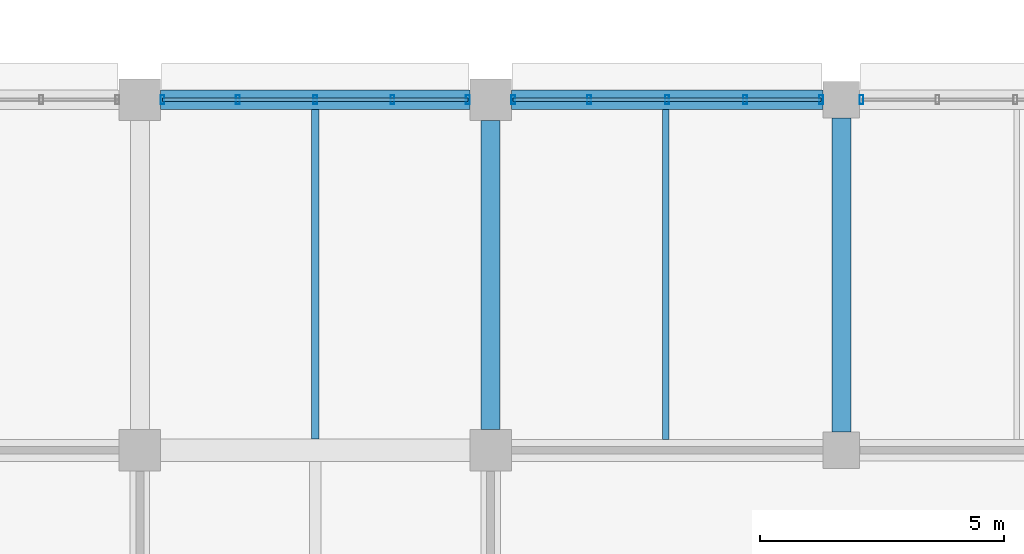
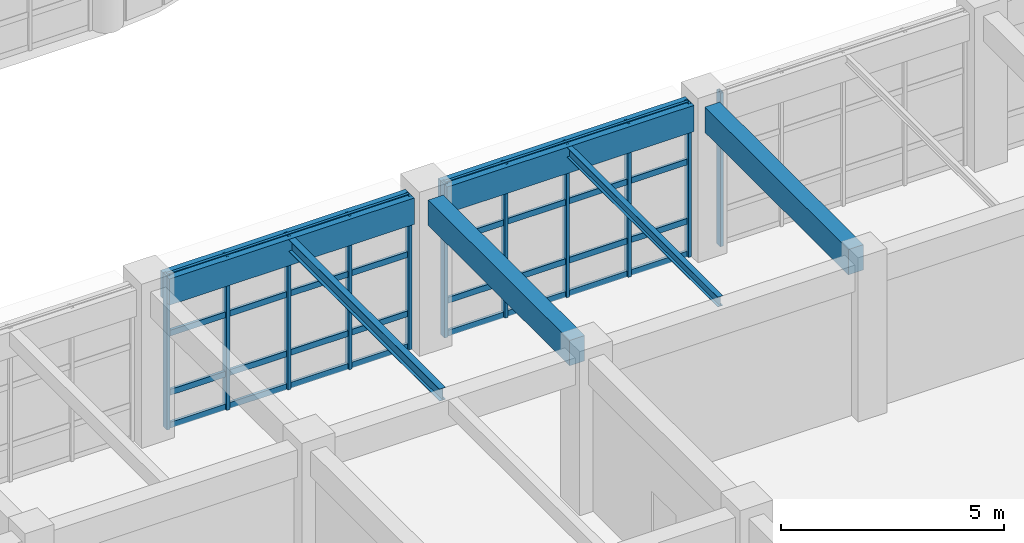
# One storey, part 36 of 171: 19 members, 6 beams, 3 elements without a shape of their own.
"""IFC4 building model written with IfcOpenShell, lengths in metres."""

from ifc_helpers import new_model, si_unit, direction, frame, origin, origin_2d, place, context, subcontext, project, spatial, rectangle, hollow_rectangle, i_section, extrude, material, material_profile, profile_set, type_object, element, aggregate, save


model = new_model("IFC4")

# Units and contexts
model_context = context("Model", 3, precision=1e-05, world=origin(), true_north=direction((0.0, 1.0)))
body_context = subcontext(model_context, "Body", "Model", "MODEL_VIEW")
ifc_project = project(units=[si_unit("LENGTHUNIT", "METRE"), si_unit("AREAUNIT", "SQUARE_METRE"), si_unit("VOLUMEUNIT", "CUBIC_METRE"), si_unit("PLANEANGLEUNIT", "RADIAN"), si_unit("MASSUNIT", "GRAM", prefix="KILO")], contexts=[model_context])

# Site, building, storey
site_placement = place(None, origin())
site = spatial("IfcSite", under=ifc_project, at=site_placement, CompositionType="ELEMENT")
building_placement = place(site_placement, origin())
building = spatial("IfcBuilding", under=site, at=building_placement, Name="Thalmaran Polytechnic", CompositionType="ELEMENT")
storey_placement = place(building_placement, frame((0.0, 0.0, 5.39990234375)))
storey = spatial("IfcBuildingStorey", under=building, at=storey_placement, Name="L01", CompositionType="ELEMENT", Elevation=5.39990234375)

# Beams
ifc_material_1 = material(Name="Concrete C40/50", Category="concrete")
ifc_material_profile_1 = material_profile(ifc_material_1, rectangle(XDim=0.389892578125, YDim=0.695068359375, at=origin_2d()), Name="RC 390x695")
ifc_profile_set_1 = profile_set([ifc_material_profile_1], Name="Concrete C40/50")
beam_type_1 = type_object("IfcBeamType", Name="BM-RC10", PredefinedType="BEAM", material=ifc_profile_set_1)
beam_1_placement = place(storey_placement, frame((86.39990234375, 29.22509765625, 3.862548828125), z_axis=(0.0, 1.0, 0.0), x_axis=(-1.0, 0.0, 0.0)))
element("IfcBeam", 1, at=beam_1_placement, inside=storey, type_object=beam_type_1, Name="Grid Beam B10 L01 Y(12,4)", PredefinedType="BEAM", context=body_context, shape_type="SweptSolid", body=[
    extrude(rectangle(XDim=0.389892578125, YDim=0.695068359375, at=origin_2d()), origin(), (0.0, 0.0, 1.0), 6.349853515625),
])
beam_2_placement = place(storey_placement, frame((93.60009765625, 29.175048828125, 3.862548828125), z_axis=(0.0, 1.0, 0.0), x_axis=(-1.0, 0.0, 0.0)))
element("IfcBeam", 2, at=beam_2_placement, inside=storey, type_object=beam_type_1, Name="Grid Beam B10 L01 Y(13,4)", PredefinedType="BEAM", context=body_context, shape_type="SweptSolid", body=[
    extrude(rectangle(XDim=0.389892578125, YDim=0.695068359375, at=origin_2d()), origin(), (0.0, 0.0, 1.0), 6.449951171875),
])
ifc_material_2 = material(Name="Steel S355", Category="steel")
ifc_material_profile_2 = material_profile(ifc_material_2, i_section(OverallWidth=0.159912109375, OverallDepth=0.330078125, WebThickness=0.007568359375, FlangeThickness=0.011474609375, at=origin_2d()), Name="IPE 330")
ifc_profile_set_2 = profile_set([ifc_material_profile_2], Name="Steel S355")
beam_type_2 = type_object("IfcBeamType", Name="BM-SJ02", PredefinedType="JOIST", material=ifc_profile_set_2)
beam_3_placement = place(storey_placement, frame((82.800048828125, 29.030029296875, 4.045166015625), z_axis=(0.0, 1.0, 0.0), x_axis=(-1.0, 0.0, 0.0)))
element("IfcBeam", 3, at=beam_3_placement, inside=storey, type_object=beam_type_2, Name="Secondary Floor Rib SJ02 L01 (11,4)", PredefinedType="JOIST", context=body_context, shape_type="SweptSolid", body=[
    extrude(i_section(OverallWidth=0.159912109375, OverallDepth=0.330078125, WebThickness=0.007568359375, FlangeThickness=0.011474609375, at=origin_2d()), origin(), (0.0, 0.0, 1.0), 6.77001953125),
])
ifc_material_profile_3 = material_profile(ifc_material_2, i_section(OverallWidth=0.135009765625, OverallDepth=0.27001953125, WebThickness=0.006591796875, FlangeThickness=0.01025390625, at=origin_2d()), Name="IPE 270")
ifc_profile_set_3 = profile_set([ifc_material_profile_3], Name="Steel S355")
beam_type_3 = type_object("IfcBeamType", Name="BM-SJ03", PredefinedType="JOIST", material=ifc_profile_set_3)
beam_4_placement = place(storey_placement, frame((90.0, 29.02490234375, 4.0751953125), z_axis=(0.0, 1.0, 0.0), x_axis=(-1.0, 0.0, 0.0)))
element("IfcBeam", 4, at=beam_4_placement, inside=storey, type_object=beam_type_3, Name="Secondary Floor Rib SJ03 L01 (12,4)", PredefinedType="JOIST", context=body_context, shape_type="SweptSolid", body=[
    extrude(i_section(OverallWidth=0.135009765625, OverallDepth=0.27001953125, WebThickness=0.006591796875, FlangeThickness=0.01025390625, at=origin_2d()), origin(), (0.0, 0.0, 1.0), 6.775146484375),
])
ifc_material_profile_4 = material_profile(ifc_material_1, rectangle(XDim=0.39990234375, YDim=0.719970703125, at=origin_2d()), Name="RC 400x720")
ifc_profile_set_4 = profile_set([ifc_material_profile_4], Name="Concrete C40/50")
beam_type_4 = type_object("IfcBeamType", Name="BM-SP01", PredefinedType="SPANDREL", material=ifc_profile_set_4)
beam_5_placement = place(storey_placement, frame((79.625, 36.0, 3.85009765625), z_axis=(1.0, 0.0, 0.0), x_axis=(0.0, 1.0, 0.0)))
element("IfcBeam", 5, at=beam_5_placement, inside=storey, type_object=beam_type_4, Name="Grid Beam SP01 L01 X(11,5)", PredefinedType="SPANDREL", context=body_context, shape_type="SweptSolid", body=[
    extrude(rectangle(XDim=0.39990234375, YDim=0.719970703125, at=origin_2d()), origin(), (0.0, 0.0, 1.0), 6.35009765625),
])
beam_6_placement = place(storey_placement, frame((86.824951171875, 36.0, 3.85009765625), z_axis=(1.0, 0.0, 0.0), x_axis=(0.0, 1.0, 0.0)))
element("IfcBeam", 6, at=beam_6_placement, inside=storey, type_object=beam_type_4, Name="Grid Beam SP01 L01 X(12,5)", PredefinedType="SPANDREL", context=body_context, shape_type="SweptSolid", body=[
    extrude(rectangle(XDim=0.39990234375, YDim=0.719970703125, at=origin_2d()), origin(), (0.0, 0.0, 1.0), 6.400146484375),
])

# Curtain wall, members
ifc_material_3 = material(Name="Aluminium 6063-T6", Category="aluminium")
curtain_wall_type = type_object("IfcCurtainWallType", Name="CW-UC02", PredefinedType="USERDEFINED", material=ifc_material_3)
curtain_wall_1_placement = place(storey_placement, origin())
curtain_wall_1 = element("IfcCurtainWall", 7, at=curtain_wall_1_placement, inside=storey, type_object=curtain_wall_type, Name="Curtain Wall CW-L01-170", ObjectType="UNITISED CURTAIN WALL", PredefinedType="USERDEFINED")
ifc_material_profile_5 = material_profile(ifc_material_3, hollow_rectangle(XDim=0.080078125, YDim=0.179931640625, WallThickness=0.0048828125, at=origin_2d()), Name="RHS 180x80x5.0")
ifc_profile_set_5 = profile_set([ifc_material_profile_5], Name="Aluminium 6063-T6")
member_type_1 = type_object("IfcMemberType", Name="CW-MUL1", PredefinedType="MULLION", material=ifc_profile_set_5)
member_1_placement = place(storey_placement, frame((79.6650390625, 36.0, 0.0), z_axis=(0.0, 0.0, 1.0), x_axis=(1.0, 0.0, 0.0)))
member_1 = element("IfcMember", 8, at=member_1_placement, type_object=member_type_1, Name="CW-L01-170 Mullion 1", PredefinedType="MULLION", context=body_context, shape_type="SweptSolid", body=[
    extrude(hollow_rectangle(XDim=0.080078125, YDim=0.179931640625, WallThickness=0.0048828125, at=origin_2d()), origin(), (0.0, 0.0, 1.0), 4.210205078125),
])
member_2_placement = place(storey_placement, frame((81.21240234375, 36.0, 0.0), z_axis=(0.0, 0.0, 1.0), x_axis=(1.0, 0.0, 0.0)))
member_2 = element("IfcMember", 9, at=member_2_placement, type_object=member_type_1, Name="CW-L01-170 Mullion 2", PredefinedType="MULLION", context=body_context, shape_type="SweptSolid", body=[
    extrude(hollow_rectangle(XDim=0.080078125, YDim=0.179931640625, WallThickness=0.0048828125, at=origin_2d()), origin(), (0.0, 0.0, 1.0), 4.210205078125),
])
member_3_placement = place(storey_placement, frame((82.800048828125, 36.0, 0.0), z_axis=(0.0, 0.0, 1.0), x_axis=(1.0, 0.0, 0.0)))
member_3 = element("IfcMember", 10, at=member_3_placement, type_object=member_type_1, Name="CW-L01-170 Mullion 3", PredefinedType="MULLION", context=body_context, shape_type="SweptSolid", body=[
    extrude(hollow_rectangle(XDim=0.080078125, YDim=0.179931640625, WallThickness=0.0048828125, at=origin_2d()), origin(), (0.0, 0.0, 1.0), 4.210205078125),
])
member_4_placement = place(storey_placement, frame((84.387451171875, 36.0, 0.0), z_axis=(0.0, 0.0, 1.0), x_axis=(1.0, 0.0, 0.0)))
member_4 = element("IfcMember", 11, at=member_4_placement, type_object=member_type_1, Name="CW-L01-170 Mullion 4", PredefinedType="MULLION", context=body_context, shape_type="SweptSolid", body=[
    extrude(hollow_rectangle(XDim=0.080078125, YDim=0.179931640625, WallThickness=0.0048828125, at=origin_2d()), origin(), (0.0, 0.0, 1.0), 4.210205078125),
])
member_5_placement = place(storey_placement, frame((85.93505859375, 36.0, 0.0), z_axis=(0.0, 0.0, 1.0), x_axis=(1.0, 0.0, 0.0)))
member_5 = element("IfcMember", 12, at=member_5_placement, type_object=member_type_1, Name="CW-L01-170 Mullion 5", PredefinedType="MULLION", context=body_context, shape_type="SweptSolid", body=[
    extrude(hollow_rectangle(XDim=0.080078125, YDim=0.179931640625, WallThickness=0.0048828125, at=origin_2d()), origin(), (0.0, 0.0, 1.0), 4.210205078125),
])

curtain_wall_2_placement = place(storey_placement, origin())
curtain_wall_2 = element("IfcCurtainWall", 13, at=curtain_wall_2_placement, inside=storey, type_object=curtain_wall_type, Name="Curtain Wall CW-L01-171", ObjectType="UNITISED CURTAIN WALL", PredefinedType="USERDEFINED")
member_6_placement = place(storey_placement, frame((86.864990234375, 36.0, 0.0), z_axis=(0.0, 0.0, 1.0), x_axis=(1.0, 0.0, 0.0)))
member_6 = element("IfcMember", 14, at=member_6_placement, type_object=member_type_1, Name="CW-L01-171 Mullion 1", PredefinedType="MULLION", context=body_context, shape_type="SweptSolid", body=[
    extrude(hollow_rectangle(XDim=0.080078125, YDim=0.179931640625, WallThickness=0.0048828125, at=origin_2d()), origin(), (0.0, 0.0, 1.0), 4.210205078125),
])
member_7_placement = place(storey_placement, frame((88.425048828125, 36.0, 0.0), z_axis=(0.0, 0.0, 1.0), x_axis=(1.0, 0.0, 0.0)))
member_7 = element("IfcMember", 15, at=member_7_placement, type_object=member_type_1, Name="CW-L01-171 Mullion 2", PredefinedType="MULLION", context=body_context, shape_type="SweptSolid", body=[
    extrude(hollow_rectangle(XDim=0.080078125, YDim=0.179931640625, WallThickness=0.0048828125, at=origin_2d()), origin(), (0.0, 0.0, 1.0), 4.210205078125),
])
member_8_placement = place(storey_placement, frame((90.02490234375, 36.0, 0.0), z_axis=(0.0, 0.0, 1.0), x_axis=(1.0, 0.0, 0.0)))
member_8 = element("IfcMember", 16, at=member_8_placement, type_object=member_type_1, Name="CW-L01-171 Mullion 3", PredefinedType="MULLION", context=body_context, shape_type="SweptSolid", body=[
    extrude(hollow_rectangle(XDim=0.080078125, YDim=0.179931640625, WallThickness=0.0048828125, at=origin_2d()), origin(), (0.0, 0.0, 1.0), 4.210205078125),
])
member_9_placement = place(storey_placement, frame((91.625, 36.0, 0.0), z_axis=(0.0, 0.0, 1.0), x_axis=(1.0, 0.0, 0.0)))
member_9 = element("IfcMember", 17, at=member_9_placement, type_object=member_type_1, Name="CW-L01-171 Mullion 4", PredefinedType="MULLION", context=body_context, shape_type="SweptSolid", body=[
    extrude(hollow_rectangle(XDim=0.080078125, YDim=0.179931640625, WallThickness=0.0048828125, at=origin_2d()), origin(), (0.0, 0.0, 1.0), 4.210205078125),
])
member_10_placement = place(storey_placement, frame((93.18505859375, 36.0, 0.0), z_axis=(0.0, 0.0, 1.0), x_axis=(1.0, 0.0, 0.0)))
member_10 = element("IfcMember", 18, at=member_10_placement, type_object=member_type_1, Name="CW-L01-171 Mullion 5", PredefinedType="MULLION", context=body_context, shape_type="SweptSolid", body=[
    extrude(hollow_rectangle(XDim=0.080078125, YDim=0.179931640625, WallThickness=0.0048828125, at=origin_2d()), origin(), (0.0, 0.0, 1.0), 4.210205078125),
])

# Curtain wall, member
curtain_wall_3_placement = place(storey_placement, origin())
curtain_wall_3 = element("IfcCurtainWall", 19, at=curtain_wall_3_placement, inside=storey, type_object=curtain_wall_type, Name="Curtain Wall CW-L01-172", ObjectType="UNITISED CURTAIN WALL", PredefinedType="USERDEFINED")
member_11_placement = place(storey_placement, frame((94.014892578125, 36.0, 0.0), z_axis=(0.0, 0.0, 1.0), x_axis=(1.0, 0.0, 0.0)))
member_11 = element("IfcMember", 20, at=member_11_placement, type_object=member_type_1, Name="CW-L01-172 Mullion 1", PredefinedType="MULLION", context=body_context, shape_type="SweptSolid", body=[
    extrude(hollow_rectangle(XDim=0.080078125, YDim=0.179931640625, WallThickness=0.0048828125, at=origin_2d()), origin(), (0.0, 0.0, 1.0), 4.210205078125),
])
aggregate(curtain_wall_3, [member_11])

# Member
ifc_material_profile_6 = material_profile(ifc_material_3, hollow_rectangle(XDim=0.070068359375, YDim=0.159912109375, WallThickness=0.00390625, at=origin_2d()), Name="AL 160x70x4.0")
ifc_profile_set_6 = profile_set([ifc_material_profile_6], Name="Aluminium 6063-T6")
member_type_2 = type_object("IfcMemberType", Name="CW-TRN1", PredefinedType="USERDEFINED", material=ifc_profile_set_6)
member_12_placement = place(storey_placement, frame((79.6650390625, 36.0, 0.06005859375), z_axis=(1.0, 0.0, 0.0), x_axis=(0.0, 1.0, 0.0)))
member_12 = element("IfcMember", 21, at=member_12_placement, type_object=member_type_2, Name="CW-L01-170 Transom 1", ObjectType="TRANSOM", PredefinedType="USERDEFINED", context=body_context, shape_type="SweptSolid", body=[
    extrude(hollow_rectangle(XDim=0.070068359375, YDim=0.159912109375, WallThickness=0.00390625, at=origin_2d()), origin(), (0.0, 0.0, 1.0), 6.27001953125),
])

member_13_placement = place(storey_placement, frame((79.6650390625, 36.0, 0.960205078125), z_axis=(1.0, 0.0, 0.0), x_axis=(0.0, 1.0, 0.0)))
member_13 = element("IfcMember", 22, at=member_13_placement, type_object=member_type_2, Name="CW-L01-170 Transom 2", ObjectType="TRANSOM", PredefinedType="USERDEFINED", context=body_context, shape_type="SweptSolid", body=[
    extrude(hollow_rectangle(XDim=0.070068359375, YDim=0.159912109375, WallThickness=0.00390625, at=origin_2d()), origin(), (0.0, 0.0, 1.0), 6.27001953125),
])

member_14_placement = place(storey_placement, frame((79.6650390625, 36.0, 2.585205078125), z_axis=(1.0, 0.0, 0.0), x_axis=(0.0, 1.0, 0.0)))
member_14 = element("IfcMember", 23, at=member_14_placement, type_object=member_type_2, Name="CW-L01-170 Transom 3", ObjectType="TRANSOM", PredefinedType="USERDEFINED", context=body_context, shape_type="SweptSolid", body=[
    extrude(hollow_rectangle(XDim=0.070068359375, YDim=0.159912109375, WallThickness=0.00390625, at=origin_2d()), origin(), (0.0, 0.0, 1.0), 6.27001953125),
])

member_15_placement = place(storey_placement, frame((79.6650390625, 36.0, 4.150146484375), z_axis=(1.0, 0.0, 0.0), x_axis=(0.0, 1.0, 0.0)))
member_15 = element("IfcMember", 24, at=member_15_placement, type_object=member_type_2, Name="CW-L01-170 Transom 4", ObjectType="TRANSOM", PredefinedType="USERDEFINED", context=body_context, shape_type="SweptSolid", body=[
    extrude(hollow_rectangle(XDim=0.070068359375, YDim=0.159912109375, WallThickness=0.00390625, at=origin_2d()), origin(), (0.0, 0.0, 1.0), 6.27001953125),
])

aggregate(curtain_wall_1, [member_1, member_2, member_3, member_4, member_5, member_12, member_13, member_14, member_15])

member_16_placement = place(storey_placement, frame((86.864990234375, 36.0, 0.06005859375), z_axis=(1.0, 0.0, 0.0), x_axis=(0.0, 1.0, 0.0)))
member_16 = element("IfcMember", 25, at=member_16_placement, type_object=member_type_2, Name="CW-L01-171 Transom 1", ObjectType="TRANSOM", PredefinedType="USERDEFINED", context=body_context, shape_type="SweptSolid", body=[
    extrude(hollow_rectangle(XDim=0.070068359375, YDim=0.159912109375, WallThickness=0.00390625, at=origin_2d()), origin(), (0.0, 0.0, 1.0), 6.320068359375),
])

member_17_placement = place(storey_placement, frame((86.864990234375, 36.0, 0.960205078125), z_axis=(1.0, 0.0, 0.0), x_axis=(0.0, 1.0, 0.0)))
member_17 = element("IfcMember", 26, at=member_17_placement, type_object=member_type_2, Name="CW-L01-171 Transom 2", ObjectType="TRANSOM", PredefinedType="USERDEFINED", context=body_context, shape_type="SweptSolid", body=[
    extrude(hollow_rectangle(XDim=0.070068359375, YDim=0.159912109375, WallThickness=0.00390625, at=origin_2d()), origin(), (0.0, 0.0, 1.0), 6.320068359375),
])

member_18_placement = place(storey_placement, frame((86.864990234375, 36.0, 2.585205078125), z_axis=(1.0, 0.0, 0.0), x_axis=(0.0, 1.0, 0.0)))
member_18 = element("IfcMember", 27, at=member_18_placement, type_object=member_type_2, Name="CW-L01-171 Transom 3", ObjectType="TRANSOM", PredefinedType="USERDEFINED", context=body_context, shape_type="SweptSolid", body=[
    extrude(hollow_rectangle(XDim=0.070068359375, YDim=0.159912109375, WallThickness=0.00390625, at=origin_2d()), origin(), (0.0, 0.0, 1.0), 6.320068359375),
])

member_19_placement = place(storey_placement, frame((86.864990234375, 36.0, 4.150146484375), z_axis=(1.0, 0.0, 0.0), x_axis=(0.0, 1.0, 0.0)))
member_19 = element("IfcMember", 28, at=member_19_placement, type_object=member_type_2, Name="CW-L01-171 Transom 4", ObjectType="TRANSOM", PredefinedType="USERDEFINED", context=body_context, shape_type="SweptSolid", body=[
    extrude(hollow_rectangle(XDim=0.070068359375, YDim=0.159912109375, WallThickness=0.00390625, at=origin_2d()), origin(), (0.0, 0.0, 1.0), 6.320068359375),
])

aggregate(curtain_wall_2, [member_6, member_7, member_8, member_9, member_10, member_16, member_17, member_18, member_19])

save(model, "model.ifc")
